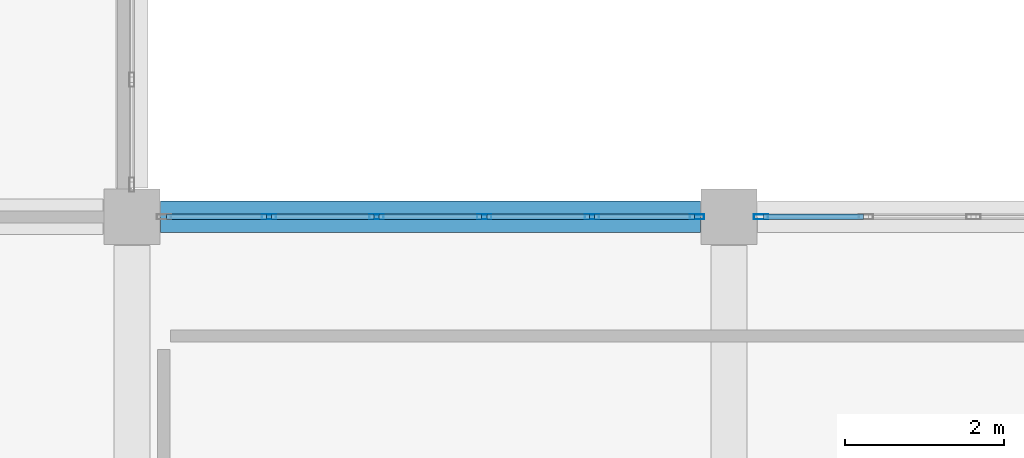
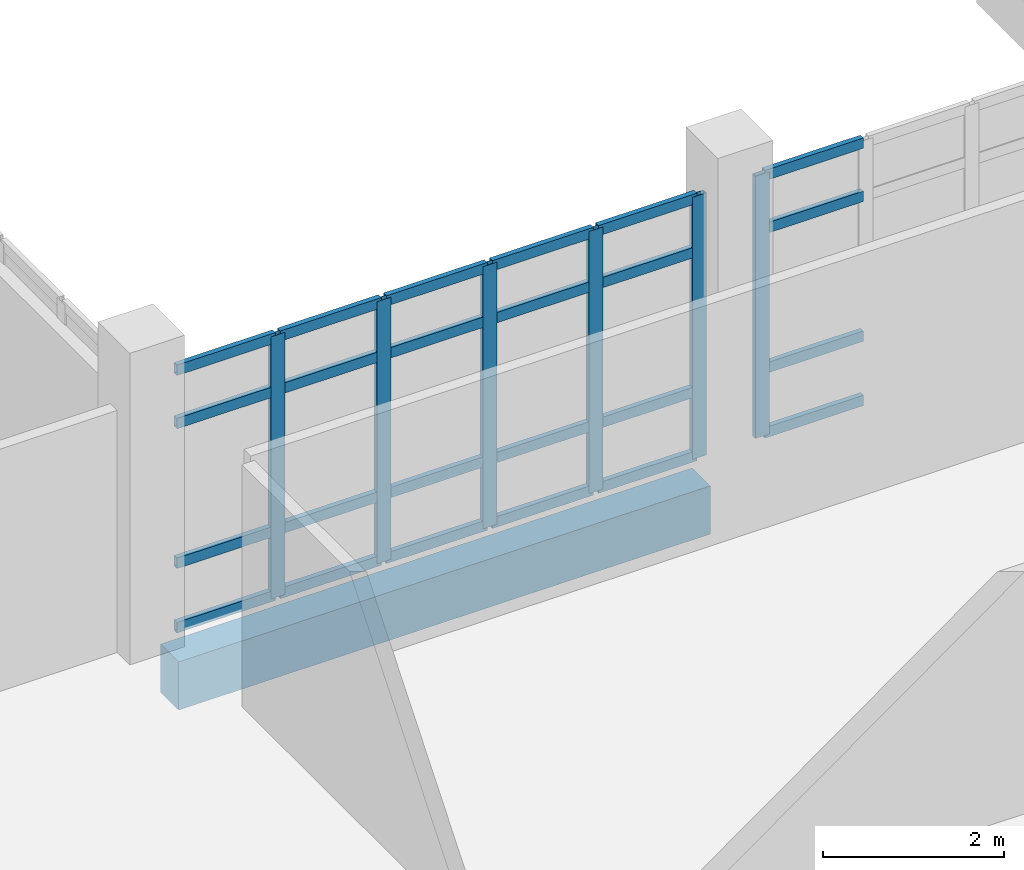
# One storey, part 20 of 164: 30 members, 1 beam, 2 elements without a shape of their own.
"""IFC4 building model written with IfcOpenShell, lengths in metres."""

from ifc_helpers import new_model, si_unit, direction, frame, origin, origin_2d, place, context, subcontext, project, spatial, rectangle, hollow_rectangle, extrude, material, layer, layer_set, material_profile, profile_set, type_object, element, aggregate, save


model = new_model("IFC4")

# Units and contexts
model_context = context("Model", 3, precision=1e-05, world=origin(), true_north=direction((0.0, 1.0)))
body_context = subcontext(model_context, "Body", "Model", "MODEL_VIEW")
ifc_project = project(units=[si_unit("LENGTHUNIT", "METRE"), si_unit("AREAUNIT", "SQUARE_METRE"), si_unit("VOLUMEUNIT", "CUBIC_METRE"), si_unit("PLANEANGLEUNIT", "RADIAN"), si_unit("MASSUNIT", "GRAM", prefix="KILO")], contexts=[model_context])

# Site, building, storey
site_placement = place(None, origin())
site = spatial("IfcSite", under=ifc_project, at=site_placement, CompositionType="ELEMENT")
building_placement = place(site_placement, origin())
building = spatial("IfcBuilding", under=site, at=building_placement, Name="Mawjan Specialist Oncology Clinic", CompositionType="ELEMENT")
storey_placement = place(building_placement, frame((0.0, 0.0, 5.0)))
storey = spatial("IfcBuildingStorey", under=building, at=storey_placement, Name="L01", CompositionType="ELEMENT", Elevation=5.0)

# Curtain wall, members
ifc_material_1 = material(Name="Unitised spectrally selective aluminium curtain wall", Category="aluminium")
ifc_layer = layer(ifc_material_1, 0.179931640625, Name="Unitised spectrally selective aluminium curtain wall", Category="aluminium")
ifc_layer_set = layer_set([ifc_layer], Name="Unitised spectrally selective aluminium curtain wall")
curtain_wall_type = type_object("IfcCurtainWallType", Name="CW-73", PredefinedType="NOTDEFINED", material=ifc_layer_set)
curtain_wall_1_placement = place(storey_placement, origin())
curtain_wall_1 = element("IfcCurtainWall", 1, at=curtain_wall_1_placement, inside=storey, type_object=curtain_wall_type, Name="L01 Unitised Curtain Wall CW-L01-165", PredefinedType="NOTDEFINED")
ifc_material_2 = material(Name="Thermally broken aluminium 6063-T6", Category="aluminium")
ifc_material_profile_1 = material_profile(ifc_material_2, hollow_rectangle(XDim=0.06494140625, YDim=0.179931640625, WallThickness=0.00390625, at=origin_2d()), Name="ALU MULLION 180x65x4", Category="aluminium")
ifc_profile_set_1 = profile_set([ifc_material_profile_1], Name="Thermally broken aluminium 6063-T6")
member_type_1 = type_object("IfcMemberType", Name="CW-M180", PredefinedType="MULLION", material=ifc_profile_set_1)
member_1_placement = place(storey_placement, frame((16.721923828125, 15.800048828125, 0.0), z_axis=(0.0, 0.0, 1.0), x_axis=(0.0, 1.0, 0.0)))
member_1 = element("IfcMember", 2, at=member_1_placement, type_object=member_type_1, Name="CW-73 mullion 2", PredefinedType="MULLION", context=body_context, shape_type="SweptSolid", body=[
    extrude(hollow_rectangle(XDim=0.06494140625, YDim=0.179931640625, WallThickness=0.00390625, at=origin_2d()), origin(), (0.0, 0.0, 1.0), 3.534912109375),
])
member_2_placement = place(storey_placement, frame((18.073974609375, 15.800048828125, 0.0), z_axis=(0.0, 0.0, 1.0), x_axis=(0.0, 1.0, 0.0)))
member_2 = element("IfcMember", 3, at=member_2_placement, type_object=member_type_1, Name="CW-73 mullion 3", PredefinedType="MULLION", context=body_context, shape_type="SweptSolid", body=[
    extrude(hollow_rectangle(XDim=0.06494140625, YDim=0.179931640625, WallThickness=0.00390625, at=origin_2d()), origin(), (0.0, 0.0, 1.0), 3.534912109375),
])
member_3_placement = place(storey_placement, frame((19.426025390625, 15.800048828125, 0.0), z_axis=(0.0, 0.0, 1.0), x_axis=(0.0, 1.0, 0.0)))
member_3 = element("IfcMember", 4, at=member_3_placement, type_object=member_type_1, Name="CW-73 mullion 4", PredefinedType="MULLION", context=body_context, shape_type="SweptSolid", body=[
    extrude(hollow_rectangle(XDim=0.06494140625, YDim=0.179931640625, WallThickness=0.00390625, at=origin_2d()), origin(), (0.0, 0.0, 1.0), 3.534912109375),
])
member_4_placement = place(storey_placement, frame((20.778076171875, 15.800048828125, 0.0), z_axis=(0.0, 0.0, 1.0), x_axis=(0.0, 1.0, 0.0)))
member_4 = element("IfcMember", 5, at=member_4_placement, type_object=member_type_1, Name="CW-73 mullion 5", PredefinedType="MULLION", context=body_context, shape_type="SweptSolid", body=[
    extrude(hollow_rectangle(XDim=0.06494140625, YDim=0.179931640625, WallThickness=0.00390625, at=origin_2d()), origin(), (0.0, 0.0, 1.0), 3.534912109375),
])
member_5_placement = place(storey_placement, frame((22.097412109375, 15.800048828125, 0.0), z_axis=(0.0, 0.0, 1.0), x_axis=(0.0, 1.0, 0.0)))
member_5 = element("IfcMember", 6, at=member_5_placement, type_object=member_type_1, Name="CW-73 mullion 6", PredefinedType="MULLION", context=body_context, shape_type="SweptSolid", body=[
    extrude(hollow_rectangle(XDim=0.06494140625, YDim=0.179931640625, WallThickness=0.00390625, at=origin_2d()), origin(), (0.0, 0.0, 1.0), 3.534912109375),
])

# Curtain wall, member
curtain_wall_2_placement = place(storey_placement, origin())
curtain_wall_2 = element("IfcCurtainWall", 7, at=curtain_wall_2_placement, inside=storey, type_object=curtain_wall_type, Name="L01 Unitised Curtain Wall CW-L01-166", PredefinedType="NOTDEFINED")
member_6_placement = place(storey_placement, frame((22.902587890625, 15.800048828125, 0.0), z_axis=(0.0, 0.0, 1.0), x_axis=(0.0, 1.0, 0.0)))
member_6 = element("IfcMember", 8, at=member_6_placement, type_object=member_type_1, Name="CW-73 mullion 1", PredefinedType="MULLION", context=body_context, shape_type="SweptSolid", body=[
    extrude(hollow_rectangle(XDim=0.06494140625, YDim=0.179931640625, WallThickness=0.00390625, at=origin_2d()), origin(), (0.0, 0.0, 1.0), 3.534912109375),
])

# Member
ifc_material_3 = material(Name="Thermally broken aluminium 6063-T6", Category="aluminium")
ifc_material_profile_2 = material_profile(ifc_material_3, hollow_rectangle(XDim=0.06494140625, YDim=0.139892578125, WallThickness=0.00390625, at=origin_2d()), Name="ALU TRANSOM 140x65x4", Category="aluminium")
ifc_profile_set_2 = profile_set([ifc_material_profile_2], Name="Thermally broken aluminium 6063-T6")
member_type_2 = type_object("IfcMemberType", Name="CW-T140", PredefinedType="USERDEFINED", material=ifc_profile_set_2)
member_7_placement = place(storey_placement, frame((15.43505859375, 15.800048828125, 0.032470703125), z_axis=(1.0, 0.0, 0.0), x_axis=(0.0, 1.0, 0.0)))
member_7 = element("IfcMember", 9, at=member_7_placement, type_object=member_type_2, Name="CW-73 transom 1.1", ObjectType="TRANSOM", PredefinedType="USERDEFINED", context=body_context, shape_type="SweptSolid", body=[
    extrude(hollow_rectangle(XDim=0.06494140625, YDim=0.139892578125, WallThickness=0.00390625, at=origin_2d()), origin(), (0.0, 0.0, 1.0), 1.25439453125),
])

member_8_placement = place(storey_placement, frame((15.43505859375, 15.800048828125, 0.89990234375), z_axis=(1.0, 0.0, 0.0), x_axis=(0.0, 1.0, 0.0)))
member_8 = element("IfcMember", 10, at=member_8_placement, type_object=member_type_2, Name="CW-73 transom 1.2", ObjectType="TRANSOM", PredefinedType="USERDEFINED", context=body_context, shape_type="SweptSolid", body=[
    extrude(hollow_rectangle(XDim=0.06494140625, YDim=0.139892578125, WallThickness=0.00390625, at=origin_2d()), origin(), (0.0, 0.0, 1.0), 1.25439453125),
])

member_9_placement = place(storey_placement, frame((15.43505859375, 15.800048828125, 2.784912109375), z_axis=(1.0, 0.0, 0.0), x_axis=(0.0, 1.0, 0.0)))
member_9 = element("IfcMember", 11, at=member_9_placement, type_object=member_type_2, Name="CW-73 transom 1.3", ObjectType="TRANSOM", PredefinedType="USERDEFINED", context=body_context, shape_type="SweptSolid", body=[
    extrude(hollow_rectangle(XDim=0.06494140625, YDim=0.139892578125, WallThickness=0.00390625, at=origin_2d()), origin(), (0.0, 0.0, 1.0), 1.25439453125),
])

member_10_placement = place(storey_placement, frame((15.43505859375, 15.800048828125, 3.50244140625), z_axis=(1.0, 0.0, 0.0), x_axis=(0.0, 1.0, 0.0)))
member_10 = element("IfcMember", 12, at=member_10_placement, type_object=member_type_2, Name="CW-73 transom 1.4", ObjectType="TRANSOM", PredefinedType="USERDEFINED", context=body_context, shape_type="SweptSolid", body=[
    extrude(hollow_rectangle(XDim=0.06494140625, YDim=0.139892578125, WallThickness=0.00390625, at=origin_2d()), origin(), (0.0, 0.0, 1.0), 1.25439453125),
])

member_11_placement = place(storey_placement, frame((16.75439453125, 15.800048828125, 0.032470703125), z_axis=(1.0, 0.0, 0.0), x_axis=(0.0, 1.0, 0.0)))
member_11 = element("IfcMember", 13, at=member_11_placement, type_object=member_type_2, Name="CW-73 transom 2.1", ObjectType="TRANSOM", PredefinedType="USERDEFINED", context=body_context, shape_type="SweptSolid", body=[
    extrude(hollow_rectangle(XDim=0.06494140625, YDim=0.139892578125, WallThickness=0.00390625, at=origin_2d()), origin(), (0.0, 0.0, 1.0), 1.287109375),
])

member_12_placement = place(storey_placement, frame((16.75439453125, 15.800048828125, 0.89990234375), z_axis=(1.0, 0.0, 0.0), x_axis=(0.0, 1.0, 0.0)))
member_12 = element("IfcMember", 14, at=member_12_placement, type_object=member_type_2, Name="CW-73 transom 2.2", ObjectType="TRANSOM", PredefinedType="USERDEFINED", context=body_context, shape_type="SweptSolid", body=[
    extrude(hollow_rectangle(XDim=0.06494140625, YDim=0.139892578125, WallThickness=0.00390625, at=origin_2d()), origin(), (0.0, 0.0, 1.0), 1.287109375),
])

member_13_placement = place(storey_placement, frame((16.75439453125, 15.800048828125, 2.784912109375), z_axis=(1.0, 0.0, 0.0), x_axis=(0.0, 1.0, 0.0)))
member_13 = element("IfcMember", 15, at=member_13_placement, type_object=member_type_2, Name="CW-73 transom 2.3", ObjectType="TRANSOM", PredefinedType="USERDEFINED", context=body_context, shape_type="SweptSolid", body=[
    extrude(hollow_rectangle(XDim=0.06494140625, YDim=0.139892578125, WallThickness=0.00390625, at=origin_2d()), origin(), (0.0, 0.0, 1.0), 1.287109375),
])

member_14_placement = place(storey_placement, frame((16.75439453125, 15.800048828125, 3.50244140625), z_axis=(1.0, 0.0, 0.0), x_axis=(0.0, 1.0, 0.0)))
member_14 = element("IfcMember", 16, at=member_14_placement, type_object=member_type_2, Name="CW-73 transom 2.4", ObjectType="TRANSOM", PredefinedType="USERDEFINED", context=body_context, shape_type="SweptSolid", body=[
    extrude(hollow_rectangle(XDim=0.06494140625, YDim=0.139892578125, WallThickness=0.00390625, at=origin_2d()), origin(), (0.0, 0.0, 1.0), 1.287109375),
])

member_15_placement = place(storey_placement, frame((18.1064453125, 15.800048828125, 0.032470703125), z_axis=(1.0, 0.0, 0.0), x_axis=(0.0, 1.0, 0.0)))
member_15 = element("IfcMember", 17, at=member_15_placement, type_object=member_type_2, Name="CW-73 transom 3.1", ObjectType="TRANSOM", PredefinedType="USERDEFINED", context=body_context, shape_type="SweptSolid", body=[
    extrude(hollow_rectangle(XDim=0.06494140625, YDim=0.139892578125, WallThickness=0.00390625, at=origin_2d()), origin(), (0.0, 0.0, 1.0), 1.287109375),
])

member_16_placement = place(storey_placement, frame((18.1064453125, 15.800048828125, 0.89990234375), z_axis=(1.0, 0.0, 0.0), x_axis=(0.0, 1.0, 0.0)))
member_16 = element("IfcMember", 18, at=member_16_placement, type_object=member_type_2, Name="CW-73 transom 3.2", ObjectType="TRANSOM", PredefinedType="USERDEFINED", context=body_context, shape_type="SweptSolid", body=[
    extrude(hollow_rectangle(XDim=0.06494140625, YDim=0.139892578125, WallThickness=0.00390625, at=origin_2d()), origin(), (0.0, 0.0, 1.0), 1.287109375),
])

member_17_placement = place(storey_placement, frame((18.1064453125, 15.800048828125, 2.784912109375), z_axis=(1.0, 0.0, 0.0), x_axis=(0.0, 1.0, 0.0)))
member_17 = element("IfcMember", 19, at=member_17_placement, type_object=member_type_2, Name="CW-73 transom 3.3", ObjectType="TRANSOM", PredefinedType="USERDEFINED", context=body_context, shape_type="SweptSolid", body=[
    extrude(hollow_rectangle(XDim=0.06494140625, YDim=0.139892578125, WallThickness=0.00390625, at=origin_2d()), origin(), (0.0, 0.0, 1.0), 1.287109375),
])

member_18_placement = place(storey_placement, frame((18.1064453125, 15.800048828125, 3.50244140625), z_axis=(1.0, 0.0, 0.0), x_axis=(0.0, 1.0, 0.0)))
member_18 = element("IfcMember", 20, at=member_18_placement, type_object=member_type_2, Name="CW-73 transom 3.4", ObjectType="TRANSOM", PredefinedType="USERDEFINED", context=body_context, shape_type="SweptSolid", body=[
    extrude(hollow_rectangle(XDim=0.06494140625, YDim=0.139892578125, WallThickness=0.00390625, at=origin_2d()), origin(), (0.0, 0.0, 1.0), 1.287109375),
])

member_19_placement = place(storey_placement, frame((19.45849609375, 15.800048828125, 0.032470703125), z_axis=(1.0, 0.0, 0.0), x_axis=(0.0, 1.0, 0.0)))
member_19 = element("IfcMember", 21, at=member_19_placement, type_object=member_type_2, Name="CW-73 transom 4.1", ObjectType="TRANSOM", PredefinedType="USERDEFINED", context=body_context, shape_type="SweptSolid", body=[
    extrude(hollow_rectangle(XDim=0.06494140625, YDim=0.139892578125, WallThickness=0.00390625, at=origin_2d()), origin(), (0.0, 0.0, 1.0), 1.287109375),
])

member_20_placement = place(storey_placement, frame((19.45849609375, 15.800048828125, 0.89990234375), z_axis=(1.0, 0.0, 0.0), x_axis=(0.0, 1.0, 0.0)))
member_20 = element("IfcMember", 22, at=member_20_placement, type_object=member_type_2, Name="CW-73 transom 4.2", ObjectType="TRANSOM", PredefinedType="USERDEFINED", context=body_context, shape_type="SweptSolid", body=[
    extrude(hollow_rectangle(XDim=0.06494140625, YDim=0.139892578125, WallThickness=0.00390625, at=origin_2d()), origin(), (0.0, 0.0, 1.0), 1.287109375),
])

member_21_placement = place(storey_placement, frame((19.45849609375, 15.800048828125, 2.784912109375), z_axis=(1.0, 0.0, 0.0), x_axis=(0.0, 1.0, 0.0)))
member_21 = element("IfcMember", 23, at=member_21_placement, type_object=member_type_2, Name="CW-73 transom 4.3", ObjectType="TRANSOM", PredefinedType="USERDEFINED", context=body_context, shape_type="SweptSolid", body=[
    extrude(hollow_rectangle(XDim=0.06494140625, YDim=0.139892578125, WallThickness=0.00390625, at=origin_2d()), origin(), (0.0, 0.0, 1.0), 1.287109375),
])

member_22_placement = place(storey_placement, frame((19.45849609375, 15.800048828125, 3.50244140625), z_axis=(1.0, 0.0, 0.0), x_axis=(0.0, 1.0, 0.0)))
member_22 = element("IfcMember", 24, at=member_22_placement, type_object=member_type_2, Name="CW-73 transom 4.4", ObjectType="TRANSOM", PredefinedType="USERDEFINED", context=body_context, shape_type="SweptSolid", body=[
    extrude(hollow_rectangle(XDim=0.06494140625, YDim=0.139892578125, WallThickness=0.00390625, at=origin_2d()), origin(), (0.0, 0.0, 1.0), 1.287109375),
])

member_23_placement = place(storey_placement, frame((20.810546875, 15.800048828125, 0.032470703125), z_axis=(1.0, 0.0, 0.0), x_axis=(0.0, 1.0, 0.0)))
member_23 = element("IfcMember", 25, at=member_23_placement, type_object=member_type_2, Name="CW-73 transom 5.1", ObjectType="TRANSOM", PredefinedType="USERDEFINED", context=body_context, shape_type="SweptSolid", body=[
    extrude(hollow_rectangle(XDim=0.06494140625, YDim=0.139892578125, WallThickness=0.00390625, at=origin_2d()), origin(), (0.0, 0.0, 1.0), 1.25439453125),
])

member_24_placement = place(storey_placement, frame((20.810546875, 15.800048828125, 0.89990234375), z_axis=(1.0, 0.0, 0.0), x_axis=(0.0, 1.0, 0.0)))
member_24 = element("IfcMember", 26, at=member_24_placement, type_object=member_type_2, Name="CW-73 transom 5.2", ObjectType="TRANSOM", PredefinedType="USERDEFINED", context=body_context, shape_type="SweptSolid", body=[
    extrude(hollow_rectangle(XDim=0.06494140625, YDim=0.139892578125, WallThickness=0.00390625, at=origin_2d()), origin(), (0.0, 0.0, 1.0), 1.25439453125),
])

member_25_placement = place(storey_placement, frame((20.810546875, 15.800048828125, 2.784912109375), z_axis=(1.0, 0.0, 0.0), x_axis=(0.0, 1.0, 0.0)))
member_25 = element("IfcMember", 27, at=member_25_placement, type_object=member_type_2, Name="CW-73 transom 5.3", ObjectType="TRANSOM", PredefinedType="USERDEFINED", context=body_context, shape_type="SweptSolid", body=[
    extrude(hollow_rectangle(XDim=0.06494140625, YDim=0.139892578125, WallThickness=0.00390625, at=origin_2d()), origin(), (0.0, 0.0, 1.0), 1.25439453125),
])

member_26_placement = place(storey_placement, frame((20.810546875, 15.800048828125, 3.50244140625), z_axis=(1.0, 0.0, 0.0), x_axis=(0.0, 1.0, 0.0)))
member_26 = element("IfcMember", 28, at=member_26_placement, type_object=member_type_2, Name="CW-73 transom 5.4", ObjectType="TRANSOM", PredefinedType="USERDEFINED", context=body_context, shape_type="SweptSolid", body=[
    extrude(hollow_rectangle(XDim=0.06494140625, YDim=0.139892578125, WallThickness=0.00390625, at=origin_2d()), origin(), (0.0, 0.0, 1.0), 1.25439453125),
])

aggregate(curtain_wall_1, [member_1, member_2, member_3, member_4, member_5, member_7, member_8, member_9, member_10, member_11, member_12, member_13, member_14, member_15, member_16, member_17, member_18, member_19, member_20, member_21, member_22, member_23, member_24, member_25, member_26])

member_27_placement = place(storey_placement, frame((22.93505859375, 15.800048828125, 0.032470703125), z_axis=(1.0, 0.0, 0.0), x_axis=(0.0, 1.0, 0.0)))
member_27 = element("IfcMember", 29, at=member_27_placement, type_object=member_type_2, Name="CW-73 transom 1.1", ObjectType="TRANSOM", PredefinedType="USERDEFINED", context=body_context, shape_type="SweptSolid", body=[
    extrude(hollow_rectangle(XDim=0.06494140625, YDim=0.139892578125, WallThickness=0.00390625, at=origin_2d()), origin(), (0.0, 0.0, 1.0), 1.25439453125),
])

member_28_placement = place(storey_placement, frame((22.93505859375, 15.800048828125, 0.89990234375), z_axis=(1.0, 0.0, 0.0), x_axis=(0.0, 1.0, 0.0)))
member_28 = element("IfcMember", 30, at=member_28_placement, type_object=member_type_2, Name="CW-73 transom 1.2", ObjectType="TRANSOM", PredefinedType="USERDEFINED", context=body_context, shape_type="SweptSolid", body=[
    extrude(hollow_rectangle(XDim=0.06494140625, YDim=0.139892578125, WallThickness=0.00390625, at=origin_2d()), origin(), (0.0, 0.0, 1.0), 1.25439453125),
])

member_29_placement = place(storey_placement, frame((22.93505859375, 15.800048828125, 2.784912109375), z_axis=(1.0, 0.0, 0.0), x_axis=(0.0, 1.0, 0.0)))
member_29 = element("IfcMember", 31, at=member_29_placement, type_object=member_type_2, Name="CW-73 transom 1.3", ObjectType="TRANSOM", PredefinedType="USERDEFINED", context=body_context, shape_type="SweptSolid", body=[
    extrude(hollow_rectangle(XDim=0.06494140625, YDim=0.139892578125, WallThickness=0.00390625, at=origin_2d()), origin(), (0.0, 0.0, 1.0), 1.25439453125),
])

member_30_placement = place(storey_placement, frame((22.93505859375, 15.800048828125, 3.50244140625), z_axis=(1.0, 0.0, 0.0), x_axis=(0.0, 1.0, 0.0)))
member_30 = element("IfcMember", 32, at=member_30_placement, type_object=member_type_2, Name="CW-73 transom 1.4", ObjectType="TRANSOM", PredefinedType="USERDEFINED", context=body_context, shape_type="SweptSolid", body=[
    extrude(hollow_rectangle(XDim=0.06494140625, YDim=0.139892578125, WallThickness=0.00390625, at=origin_2d()), origin(), (0.0, 0.0, 1.0), 1.25439453125),
])

aggregate(curtain_wall_2, [member_6, member_27, member_28, member_29, member_30])

# Beam
ifc_material_4 = material(Name="Concrete C45/55", Category="concrete")
ifc_material_profile_3 = material_profile(ifc_material_4, rectangle(XDim=0.39990234375, YDim=0.64990234375, at=origin_2d()), Name="RC BM 400x650", Category="concrete")
ifc_profile_set_3 = profile_set([ifc_material_profile_3], Name="Concrete C45/55")
beam_type = type_object("IfcBeamType", Name="SP-400x650", PredefinedType="SPANDREL", material=ifc_profile_set_3)
beam_placement = place(storey_placement, frame((15.360107421875, 15.800048828125, -0.625), z_axis=(1.0, 0.0, 0.0), x_axis=(0.0, 1.0, 0.0)))
element("IfcBeam", 33, at=beam_placement, inside=storey, type_object=beam_type, Name="L01 Spandrel Beam BM-L01-0239", PredefinedType="SPANDREL", context=body_context, shape_type="SweptSolid", body=[
    extrude(rectangle(XDim=0.39990234375, YDim=0.64990234375, at=origin_2d()), origin(), (0.0, 0.0, 1.0), 6.77978515625),
])

save(model, "model.ifc")
